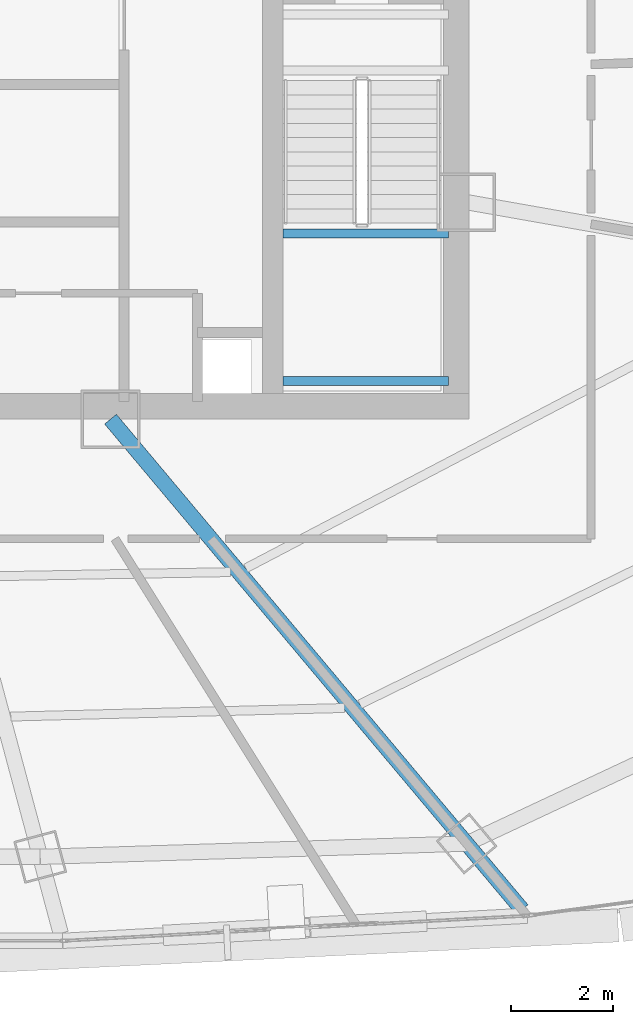
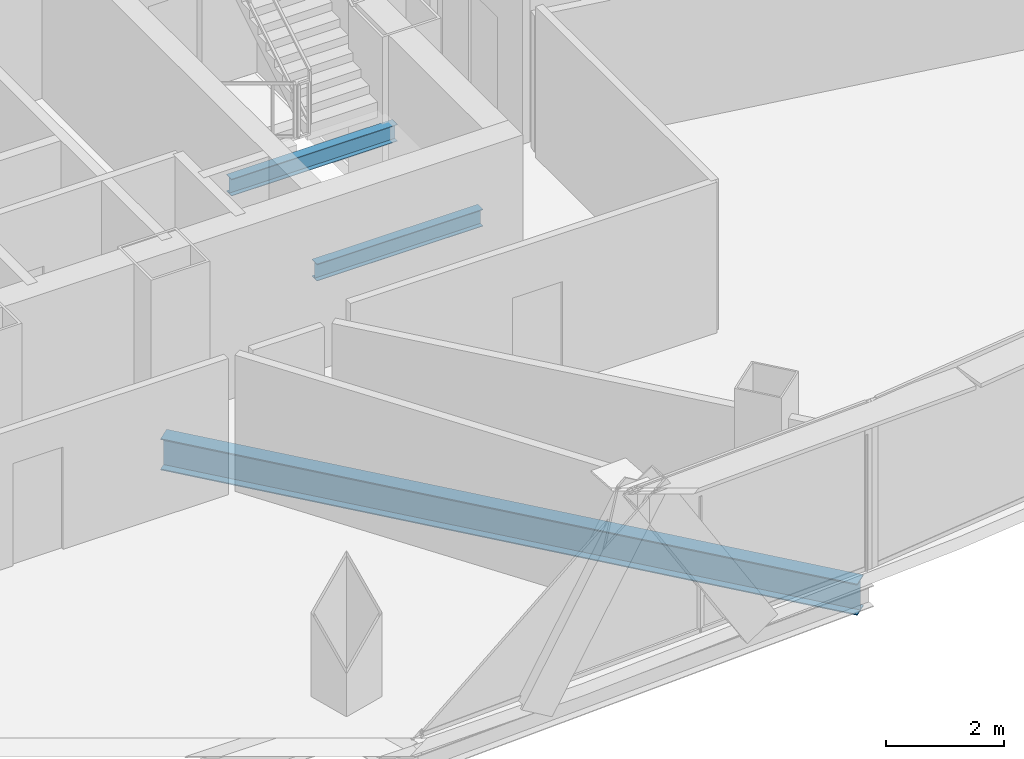
# One storey, part 13 of 37: 3 beams.
"""IFC4 building model written with IfcOpenShell, lengths in metres."""

from ifc_helpers import new_model, si_unit, direction, frame, origin, origin_2d, place, context, subcontext, project, spatial, i_section, extrude, source, transform, mapped, material, material_profile, profile_set, type_object, element, save


model = new_model("IFC4")

# Units and contexts
model_context = context("Model", 3, precision=1e-05, world=origin(), true_north=direction((0.0, 1.0)))
body_context = subcontext(model_context, "Body", "Model", "MODEL_VIEW")
ifc_project = project(units=[si_unit("LENGTHUNIT", "METRE"), si_unit("AREAUNIT", "SQUARE_METRE"), si_unit("VOLUMEUNIT", "CUBIC_METRE"), si_unit("PLANEANGLEUNIT", "RADIAN"), si_unit("MASSUNIT", "GRAM", prefix="KILO"), si_unit("THERMODYNAMICTEMPERATUREUNIT", "KELVIN"), si_unit("POWERUNIT", "WATT")], contexts=[model_context])

# Site, building, storey
site_placement = place(None, origin())
site = spatial("IfcSite", under=ifc_project, at=site_placement, CompositionType="ELEMENT")
building_placement = place(site_placement, origin())
building = spatial("IfcBuilding", under=site, at=building_placement, Name="Yunzhuo Pagoda Commons", CompositionType="ELEMENT")
storey_placement = place(building_placement, frame((0.0, 0.0, 259.449951171875)))
storey = spatial("IfcBuildingStorey", under=building, at=storey_placement, Name="L65", CompositionType="ELEMENT", Elevation=259.449951171875)

# Beams
ifc_material = material(Name="Structural steel Q355B", Category="steel")
ifc_material_profile_1 = material_profile(ifc_material, i_section(OverallWidth=0.175048828125, OverallDepth=0.35009765625, WebThickness=0.007080078125, FlangeThickness=0.010986328125, at=origin_2d()), Name="Structural steel Q355B")
ifc_profile_set_1 = profile_set([ifc_material_profile_1], Name="Structural steel Q355B")
beam_type_1 = type_object("IfcBeamType", Name="B-JS2 Joist HN 350x175x7x11", PredefinedType="JOIST", material=ifc_profile_set_1)
shared_shape_1 = source(origin(), body_context, "Body", "SweptSolid", [
    extrude(i_section(OverallWidth=0.175048828125, OverallDepth=0.35009765625, WebThickness=0.007080078125, FlangeThickness=0.010986328125, at=origin_2d()), origin(), (0.0, 0.0, 1.0), 3.25),
])
for number, where, z_axis, x_axis, name in (
    (1, (56.800048828125, 28.0, 1.489990234375), (1.0, 0.0, 0.0), (0.0, 1.0, 0.0), "L65 ST2 landing support beam 71A"),
    (2, (56.800048828125, 30.89990234375, 1.489990234375), (1.0, 0.0, 0.0), (0.0, 1.0, 0.0), "L65 ST2 landing support beam 71B"),
):
    element("IfcBeam", number, at=place(storey_placement, frame(where, z_axis=z_axis, x_axis=x_axis)), inside=storey, type_object=beam_type_1, Name=name, PredefinedType="JOIST", context=body_context, shape_type="MappedRepresentation", body=[
        mapped(shared_shape_1, transform((0.0, 0.0, 0.0), scale=1.0)),
    ])
ifc_material_profile_2 = material_profile(ifc_material, i_section(OverallWidth=0.300048828125, OverallDepth=0.64990234375, WebThickness=0.012939453125, FlangeThickness=0.02197265625, at=origin_2d()), Name="Structural steel Q355B")
ifc_profile_set_2 = profile_set([ifc_material_profile_2], Name="Structural steel Q355B")
beam_type_2 = type_object("IfcBeamType", Name="B-RG2 Beam HN 650x300x13x22", PredefinedType="BEAM", material=ifc_profile_set_2)
shared_shape_2 = source(origin(), body_context, "Body", "SweptSolid", [
    extrude(i_section(OverallWidth=0.300048828125, OverallDepth=0.64990234375, WebThickness=0.012939453125, FlangeThickness=0.02197265625, at=origin_2d()), origin(), (0.0, 0.0, 1.0), 12.575927734375),
])
beam_placement = place(storey_placement, frame((61.495849609375, 17.6162109375, -0.5849609375), z_axis=(-0.642789074184, 0.766043214258, 0.0), x_axis=(-0.766043214258, -0.642789074184, 0.0)))
element("IfcBeam", 3, at=beam_placement, inside=storey, type_object=beam_type_2, Name="L65 radial floor girder F1C4", PredefinedType="BEAM", context=body_context, shape_type="MappedRepresentation", body=[
    mapped(shared_shape_2, transform((0.0, 0.0, 0.0), scale=1.0)),
])

save(model, "model.ifc")
